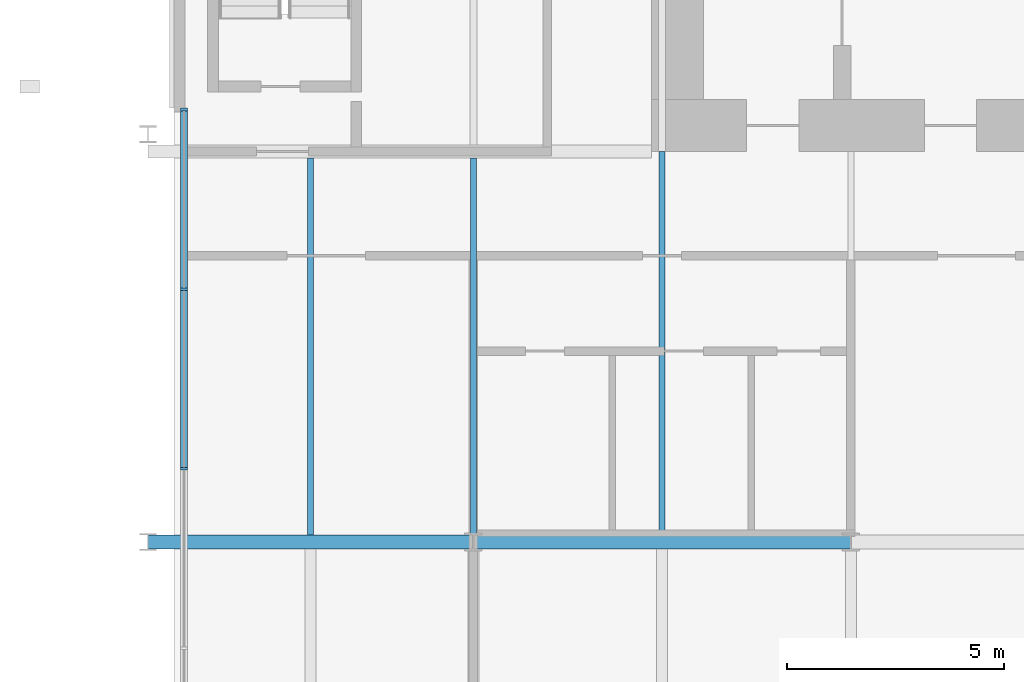
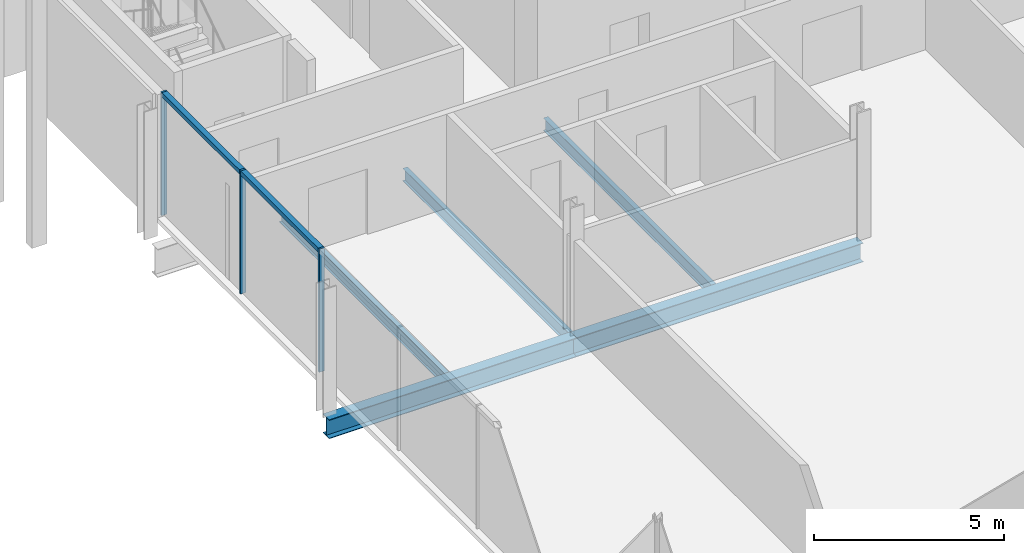
# One storey, part 6 of 22: 5 beams, 5 members, 1 element without a shape of its own.
"""IFC4 building model written with IfcOpenShell, lengths in metres."""

from ifc_helpers import new_model, si_unit, direction, frame, origin, origin_2d, place, context, subcontext, project, spatial, rectangle, i_section, extrude, material, material_profile, profile_set, type_object, element, aggregate, save


model = new_model("IFC4")

# Units and contexts
model_context = context("Model", 3, precision=1e-05, world=origin(), true_north=direction((0.0, 1.0)))
body_context = subcontext(model_context, "Body", "Model", "MODEL_VIEW")
ifc_project = project(units=[si_unit("LENGTHUNIT", "METRE"), si_unit("AREAUNIT", "SQUARE_METRE"), si_unit("VOLUMEUNIT", "CUBIC_METRE"), si_unit("PLANEANGLEUNIT", "RADIAN"), si_unit("MASSUNIT", "GRAM", prefix="KILO")], contexts=[model_context])

# Site, building, storey
site_placement = place(None, origin())
site = spatial("IfcSite", under=ifc_project, at=site_placement, CompositionType="ELEMENT")
building_placement = place(site_placement, origin())
building = spatial("IfcBuilding", under=site, at=building_placement, Name="Bicima Exchange Tower", CompositionType="ELEMENT")
storey_placement = place(building_placement, frame((0.0, 0.0, 89.89990234375)))
storey = spatial("IfcBuildingStorey", under=building, at=storey_placement, Name="L18", CompositionType="ELEMENT", Elevation=89.89990234375)

# Curtain wall, members
ifc_material_1 = material(Name="Anodised bronze aluminium", Category="aluminium")
curtain_wall_type = type_object("IfcCurtainWallType", Name="End face glass wall", PredefinedType="NOTDEFINED", material=ifc_material_1)
curtain_wall_placement = place(storey_placement, origin())
curtain_wall = element("IfcCurtainWall", 1, at=curtain_wall_placement, inside=storey, type_object=curtain_wall_type, Name="End face glass wall L18 run 6", PredefinedType="NOTDEFINED")
ifc_material_profile_1 = material_profile(ifc_material_1, rectangle(XDim=0.159912109375, YDim=0.06005859375, at=origin_2d()))
ifc_profile_set_1 = profile_set([ifc_material_profile_1], Name="Anodised bronze aluminium")
member_type_1 = type_object("IfcMemberType", Name="End face glass wall mullion 60 x 160", PredefinedType="MULLION", material=ifc_profile_set_1)
member_1_placement = place(storey_placement, frame((-32.77001953125, -12.030029296875, 0.0), z_axis=(0.0, 0.0, 1.0), x_axis=(1.0, 0.0, 0.0)))
member_1 = element("IfcMember", 2, at=member_1_placement, type_object=member_type_1, Name="End face glass wall mullion 1", PredefinedType="MULLION", context=body_context, shape_type="SweptSolid", body=[
    extrude(rectangle(XDim=0.159912109375, YDim=0.06005859375, at=origin_2d()), origin(), (0.0, 0.0, 1.0), 3.9501953125),
])
member_2_placement = place(storey_placement, frame((-32.77001953125, -16.17041015625, 0.0), z_axis=(0.0, 0.0, 1.0), x_axis=(1.0, 0.0, 0.0)))
member_2 = element("IfcMember", 3, at=member_2_placement, type_object=member_type_1, Name="End face glass wall mullion 2", PredefinedType="MULLION", context=body_context, shape_type="SweptSolid", body=[
    extrude(rectangle(XDim=0.159912109375, YDim=0.06005859375, at=origin_2d()), origin(), (0.0, 0.0, 1.0), 3.9501953125),
])
member_3_placement = place(storey_placement, frame((-32.77001953125, -20.310791015625, 0.0), z_axis=(0.0, 0.0, 1.0), x_axis=(1.0, 0.0, 0.0)))
member_3 = element("IfcMember", 4, at=member_3_placement, type_object=member_type_1, Name="End face glass wall mullion 3", PredefinedType="MULLION", context=body_context, shape_type="SweptSolid", body=[
    extrude(rectangle(XDim=0.159912109375, YDim=0.06005859375, at=origin_2d()), origin(), (0.0, 0.0, 1.0), 3.9501953125),
])
ifc_material_profile_2 = material_profile(ifc_material_1, rectangle(XDim=0.159912109375, YDim=0.139892578125, at=origin_2d()))
ifc_profile_set_2 = profile_set([ifc_material_profile_2], Name="Anodised bronze aluminium")
member_type_2 = type_object("IfcMemberType", Name="End face glass wall transom 140 x 160", PredefinedType="USERDEFINED", material=ifc_profile_set_2)
member_4_placement = place(storey_placement, frame((-32.77001953125, -12.06005859375, 3.880126953125), z_axis=(0.0, -1.0, 0.0), x_axis=(1.0, 0.0, 0.0)))
member_4 = element("IfcMember", 5, at=member_4_placement, type_object=member_type_2, Name="End face glass wall transom 1.1", ObjectType="TRANSOM", PredefinedType="USERDEFINED", context=body_context, shape_type="SweptSolid", body=[
    extrude(rectangle(XDim=0.159912109375, YDim=0.139892578125, at=origin_2d()), origin(), (0.0, 0.0, 1.0), 4.080322265625),
])
member_5_placement = place(storey_placement, frame((-32.77001953125, -16.200439453125, 3.880126953125), z_axis=(0.0, -1.0, 0.0), x_axis=(1.0, 0.0, 0.0)))
member_5 = element("IfcMember", 6, at=member_5_placement, type_object=member_type_2, Name="End face glass wall transom 2.1", ObjectType="TRANSOM", PredefinedType="USERDEFINED", context=body_context, shape_type="SweptSolid", body=[
    extrude(rectangle(XDim=0.159912109375, YDim=0.139892578125, at=origin_2d()), origin(), (0.0, 0.0, 1.0), 4.080322265625),
])
aggregate(curtain_wall, [member_1, member_2, member_3, member_4, member_5])

# Beams
ifc_material_2 = material(Name="Steel ASTM A992 Gr 50", Category="steel")
ifc_material_profile_3 = material_profile(ifc_material_2, i_section(OverallWidth=0.140380859375, OverallDepth=0.40380859375, WebThickness=0.007080078125, FlangeThickness=0.01123046875, at=origin_2d()))
ifc_profile_set_3 = profile_set([ifc_material_profile_3], Name="Steel ASTM A992 Gr 50")
beam_type_1 = type_object("IfcBeamType", Name="Floor beam W16x31", PredefinedType="JOIST", material=ifc_profile_set_3)
for number, where, z_axis, x_axis, name in (
    (7, (-29.85009765625, -13.15234375, -0.351806640625), (0.0, -1.0, 0.0), (1.0, 0.0, 0.0), "Floor beam"),
    (8, (-26.10009765625, -13.15234375, -0.351806640625), (0.0, -1.0, 0.0), (1.0, 0.0, 0.0), "Floor beam"),
):
    element("IfcBeam", number, at=place(storey_placement, frame(where, z_axis=z_axis, x_axis=x_axis)), inside=storey, type_object=beam_type_1, Name=name, PredefinedType="JOIST", context=body_context, shape_type="SweptSolid", body=[
        extrude(i_section(OverallWidth=0.140380859375, OverallDepth=0.40380859375, WebThickness=0.007080078125, FlangeThickness=0.01123046875, at=origin_2d()), origin(), (0.0, 0.0, 1.0), 8.68505859375),
    ])
beam_1_placement = place(storey_placement, frame((-21.75, -13.0, -0.351806640625), z_axis=(0.0, -1.0, 0.0), x_axis=(1.0, 0.0, 0.0)))
element("IfcBeam", 9, at=beam_1_placement, inside=storey, type_object=beam_type_1, Name="Floor beam", PredefinedType="JOIST", context=body_context, shape_type="SweptSolid", body=[
    extrude(i_section(OverallWidth=0.140380859375, OverallDepth=0.40380859375, WebThickness=0.007080078125, FlangeThickness=0.01123046875, at=origin_2d()), origin(), (0.0, 0.0, 1.0), 8.83740234375),
])
ifc_material_profile_4 = material_profile(ifc_material_2, i_section(OverallWidth=0.3251953125, OverallDepth=0.612060546875, WebThickness=0.0126953125, FlangeThickness=0.01904296875, at=origin_2d()))
ifc_profile_set_4 = profile_set([ifc_material_profile_4], Name="Steel ASTM A992 Gr 50")
beam_type_2 = type_object("IfcBeamType", Name="Row girder W24x104", PredefinedType="BEAM", material=ifc_profile_set_4)
beam_2_placement = place(storey_placement, frame((-33.60009765625, -22.0, -0.4560546875), z_axis=(1.0, 0.0, 0.0), x_axis=(0.0, 1.0, 0.0)))
element("IfcBeam", 10, at=beam_2_placement, inside=storey, type_object=beam_type_2, Name="Row girder", PredefinedType="BEAM", context=body_context, shape_type="SweptSolid", body=[
    extrude(i_section(OverallWidth=0.3251953125, OverallDepth=0.612060546875, WebThickness=0.0126953125, FlangeThickness=0.01904296875, at=origin_2d()), origin(), (0.0, 0.0, 1.0), 7.5),
])
beam_3_placement = place(storey_placement, frame((-26.10009765625, -22.0, -0.4560546875), z_axis=(1.0, 0.0, 0.0), x_axis=(0.0, 1.0, 0.0)))
element("IfcBeam", 11, at=beam_3_placement, inside=storey, type_object=beam_type_2, Name="Row girder", PredefinedType="BEAM", context=body_context, shape_type="SweptSolid", body=[
    extrude(i_section(OverallWidth=0.3251953125, OverallDepth=0.612060546875, WebThickness=0.0126953125, FlangeThickness=0.01904296875, at=origin_2d()), origin(), (0.0, 0.0, 1.0), 8.7001953125),
])

save(model, "model.ifc")
